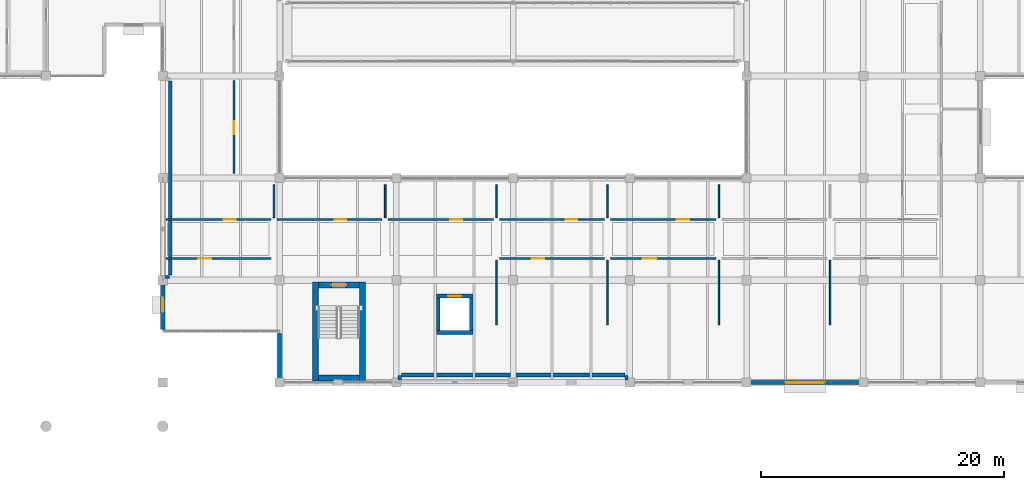
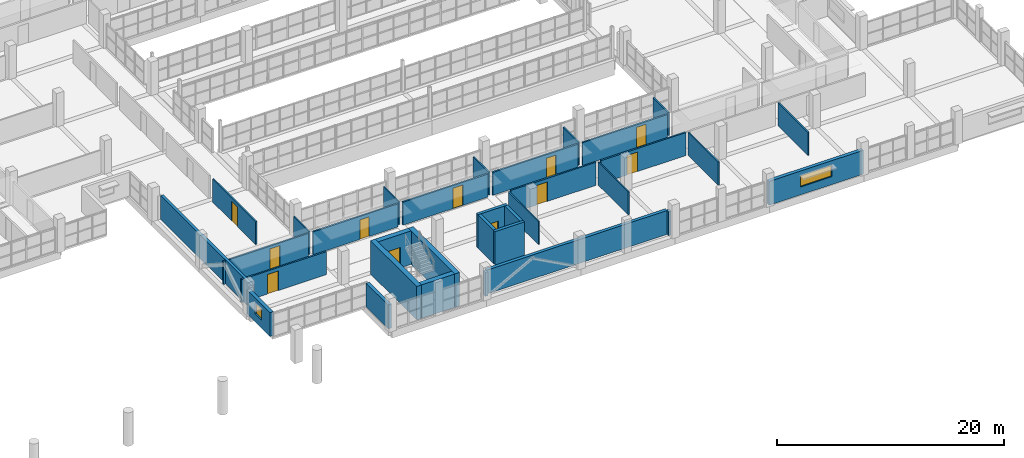
# One storey, part 126 of 147: 34 walls, 11 doors, 2 windows, 13 openings.
"""IFC4 building model written with IfcOpenShell, lengths in metres."""

from ifc_helpers import new_model, si_unit, direction, frame, frame_2d, origin, place, context, subcontext, project, spatial, rectangle, extrude, material, layer, layer_set, type_object, element, fill, save


model = new_model("IFC4")

# Units and contexts
model_context = context("Model", 3, precision=1e-05, world=origin(), true_north=direction((0.0, 1.0)))
body_context = subcontext(model_context, "Body", "Model", "MODEL_VIEW")
ifc_project = project(units=[si_unit("LENGTHUNIT", "METRE"), si_unit("AREAUNIT", "SQUARE_METRE"), si_unit("VOLUMEUNIT", "CUBIC_METRE"), si_unit("PLANEANGLEUNIT", "RADIAN"), si_unit("MASSUNIT", "GRAM", prefix="KILO")], contexts=[model_context])

# Site, building, storey
site_placement = place(None, origin())
site = spatial("IfcSite", under=ifc_project, at=site_placement, CompositionType="ELEMENT")
building_placement = place(site_placement, origin())
building = spatial("IfcBuilding", under=site, at=building_placement, Name="Oolite Switchyard Hospital", CompositionType="ELEMENT")
storey_placement = place(building_placement, frame((0.0, 0.0, 9.89990234375)))
storey = spatial("IfcBuildingStorey", under=building, at=storey_placement, Name="L02", CompositionType="ELEMENT", Elevation=9.89990234375)

# Walls
ifc_material_1 = material(Name="Precast oolitic limestone architectural concrete C40/50", Category="masonry")
ifc_layer_1 = layer(ifc_material_1, 0.260009765625)
ifc_layer_set_1 = layer_set([ifc_layer_1], Name="WAL-EXT-260")
wall_type_1 = type_object("IfcWallType", Name="WAL-EXT-260", PredefinedType="SOLIDWALL", material=ifc_layer_set_1)
for number, where, z_axis, x_axis, name in (
    (1, (172.52001953125, 8.60009765625, 0.0), (0.0, 0.0, 1.0), (0.0, 1.0, 0.0), "L02 Brace Alcove Cheek Wall 125"),
    (2, (153.8798828125, 8.60009765625, 0.0), (0.0, 0.0, 1.0), (0.0, 1.0, 0.0), "L02 Brace Alcove Cheek Wall 126"),
    (3, (134.60009765625, 17.080078125, 0.0), (0.0, 0.0, 1.0), (1.0, 0.0, 0.0), "L02 Brace Alcove Cheek Wall 158"),
):
    element("IfcWall", number, at=place(storey_placement, frame(where, z_axis=z_axis, x_axis=x_axis)), inside=storey, type_object=wall_type_1, Name=name, PredefinedType="SOLIDWALL", context=body_context, shape_type="SweptSolid", body=[
        extrude(rectangle(XDim=0.35986328125, YDim=0.260009765625, at=frame_2d((0.179931640625, 0.0))), origin(), (0.0, 0.0, 1.0), 2.570068359375),
    ])
ifc_layer_2 = layer(ifc_material_1, 0.280029296875)
ifc_layer_set_2 = layer_set([ifc_layer_2], Name="WAL-EXT-280")
wall_type_2 = type_object("IfcWallType", Name="WAL-EXT-280", PredefinedType="SOLIDWALL", material=ifc_layer_set_2)
wall_1_placement = place(storey_placement, frame((135.02001953125, 17.219970703125, 0.0), z_axis=(0.0, 0.0, 1.0), x_axis=(0.0, 1.0, 0.0)))
element("IfcWall", 4, at=wall_1_placement, inside=storey, type_object=wall_type_2, Name="L02 Exterior Spandrel Wall 160", PredefinedType="SOLIDWALL", context=body_context, shape_type="SweptSolid", body=[
    extrude(rectangle(XDim=15.9599609375, YDim=0.280029296875, at=frame_2d((7.97998046875, 0.0))), origin(), (0.0, 0.0, 1.0), 2.570068359375),
])
ifc_layer_3 = layer(ifc_material_1, 0.320068359375)
ifc_layer_set_3 = layer_set([ifc_layer_3], Name="WAL-EXT-320")
wall_type_3 = type_object("IfcWallType", Name="WAL-EXT-320", PredefinedType="SOLIDWALL", material=ifc_layer_set_3)
wall_2_placement = place(storey_placement, frame((172.3798828125, 9.02001953125, 0.0), z_axis=(0.0, 0.0, 1.0), x_axis=(-1.0, 0.0, 0.0)))
element("IfcWall", 5, at=wall_2_placement, inside=storey, type_object=wall_type_3, Name="L02 Exterior Spandrel Wall 127", PredefinedType="SOLIDWALL", context=body_context, shape_type="SweptSolid", body=[
    extrude(rectangle(XDim=18.35986328125, YDim=0.320068359375, at=frame_2d((9.179931640625, 0.0))), origin(), (0.0, 0.0, 1.0), 2.570068359375),
])

# Wall, opening, window
ifc_layer_4 = layer(ifc_material_1, 0.340087890625)
ifc_layer_set_4 = layer_set([ifc_layer_4], Name="WAL-EXT-340")
wall_type_4 = type_object("IfcWallType", Name="WAL-EXT-340", PredefinedType="SOLIDWALL", material=ifc_layer_set_4)
wall_3_placement = place(storey_placement, frame((192.0, 8.39990234375, 0.0), z_axis=(0.0, 0.0, 1.0), x_axis=(-1.0, 0.0, 0.0)))
wall_3 = element("IfcWall", 6, at=wall_3_placement, inside=storey, type_object=wall_type_4, Name="L02 Exterior Spandrel Wall 128", PredefinedType="SOLIDWALL", context=body_context, shape_type="SweptSolid", body=[
    extrude(rectangle(XDim=9.60009765625, YDim=0.340087890625, at=frame_2d((4.800048828125, 0.0))), origin(), (0.0, 0.0, 1.0), 2.570068359375),
])
opening_1_placement = place(wall_3_placement, frame((3.199951171875, 0.0, 0.85009765625)))
opening_1 = element("IfcOpeningElement", 7, at=opening_1_placement, cuts=wall_3, Name="Opening WN-0045", PredefinedType="OPENING", context=body_context, shape_type="SweptSolid", body=[
    extrude(rectangle(XDim=3.199951171875, YDim=1.199951171875, at=frame_2d((1.60009765625, 0.60009765625))), frame((0.0, 0.18017578125, 0.0), z_axis=(0.0, -1.0, 0.0), x_axis=(1.0, 0.0, 0.0)), (0.0, 0.0, 1.0), 0.360107421875),
])
ifc_material_2 = material(Name="Thermally broken aluminum frame with laminated impact glazing", Category="aluminium")
window_type_1 = type_object("IfcWindowType", Name="WIN-IMP-320X120", PartitioningType="SINGLE_PANEL", PredefinedType="WINDOW", material=ifc_material_2)
window_1_placement = place(opening_1_placement, origin())
window_1 = element("IfcWindow", 8, at=window_1_placement, inside=storey, type_object=window_type_1, Name="L02 Hurricane Impact Window WN-0045", OverallHeight=1.199951171875, OverallWidth=3.199951171875, PartitioningType="SINGLE_PANEL", PredefinedType="WINDOW", context=body_context, shape_type="SweptSolid", body=[
    extrude(rectangle(XDim=3.199951171875, YDim=1.199951171875, at=frame_2d((1.60009765625, 0.60009765625))), frame((0.0, 0.030029296875, 0.0), z_axis=(0.0, -1.0, 0.0), x_axis=(1.0, 0.0, 0.0)), (0.0, 0.0, 1.0), 0.06005859375),
])
fill(opening_1, window_1)

# Wall
wall_4_placement = place(storey_placement, frame((144.0, 8.56005859375, 0.0), z_axis=(0.0, 0.0, 1.0), x_axis=(0.0, 1.0, 0.0)))
element("IfcWall", 9, at=wall_4_placement, inside=storey, type_object=wall_type_4, Name="L02 Exterior Spandrel Wall 163", PredefinedType="SOLIDWALL", context=body_context, shape_type="SweptSolid", body=[
    extrude(rectangle(XDim=3.8798828125, YDim=0.340087890625, at=frame_2d((1.93994140625, 0.0))), origin(), (0.0, 0.0, 1.0), 2.570068359375),
])

# Wall, opening, window
ifc_layer_5 = layer(ifc_material_1, 0.360107421875)
ifc_layer_set_5 = layer_set([ifc_layer_5], Name="WAL-EXT-360")
wall_type_5 = type_object("IfcWallType", Name="WAL-EXT-360", PredefinedType="SOLIDWALL", material=ifc_layer_set_5)
wall_5_placement = place(storey_placement, frame((134.39990234375, 12.760009765625, 0.0), z_axis=(0.0, 0.0, 1.0), x_axis=(0.0, 1.0, 0.0)))
wall_5 = element("IfcWall", 10, at=wall_5_placement, inside=storey, type_object=wall_type_5, Name="L02 Exterior Spandrel Wall 157", PredefinedType="SOLIDWALL", context=body_context, shape_type="SweptSolid", body=[
    extrude(rectangle(XDim=4.0400390625, YDim=0.360107421875, at=frame_2d((2.02001953125, 0.0))), origin(), (0.0, 0.0, 1.0), 2.570068359375),
])
opening_2_placement = place(wall_5_placement, frame((1.445068359375, 0.0, 0.85009765625)))
opening_2 = element("IfcOpeningElement", 11, at=opening_2_placement, cuts=wall_5, Name="Opening WN-0061", PredefinedType="OPENING", context=body_context, shape_type="SweptSolid", body=[
    extrude(rectangle(XDim=1.14990234375, YDim=1.199951171875, at=frame_2d((0.574951171875, 0.60009765625))), frame((0.0, 0.18994140625, 0.0), z_axis=(0.0, -1.0, 0.0), x_axis=(1.0, 0.0, 0.0)), (0.0, 0.0, 1.0), 0.380126953125),
])
window_type_2 = type_object("IfcWindowType", Name="WIN-IMP-115X120", PartitioningType="SINGLE_PANEL", PredefinedType="WINDOW", material=ifc_material_2)
window_2_placement = place(opening_2_placement, origin())
window_2 = element("IfcWindow", 12, at=window_2_placement, inside=storey, type_object=window_type_2, Name="L02 Hurricane Impact Window WN-0061", OverallHeight=1.199951171875, OverallWidth=1.14990234375, PartitioningType="SINGLE_PANEL", PredefinedType="WINDOW", context=body_context, shape_type="SweptSolid", body=[
    extrude(rectangle(XDim=1.14990234375, YDim=1.199951171875, at=frame_2d((0.574951171875, 0.60009765625))), frame((0.0, 0.030029296875, 0.0), z_axis=(0.0, -1.0, 0.0), x_axis=(1.0, 0.0, 0.0)), (0.0, 0.0, 1.0), 0.06005859375),
])
fill(opening_2, window_2)

# Walls
ifc_material_3 = material(Name="Moisture-resistant gypsum board on steel studs", Category="steel")
ifc_layer_6 = layer(ifc_material_3, 0.135009765625)
ifc_layer_set_6 = layer_set([ifc_layer_6], Name="WAL-PART-135")
wall_type_6 = type_object("IfcWallType", Name="WAL-PART-135", PredefinedType="PARTITIONING", material=ifc_layer_set_6)
for number, where, z_axis, x_axis, name in (
    (13, (143.54296875, 21.949951171875, 0.0), (0.0, 0.0, 1.0), (0.0, 1.0, 0.0), "L02 Interior Partition 553"),
    (14, (152.68603515625, 21.949951171875, 0.0), (0.0, 0.0, 1.0), (0.0, 1.0, 0.0), "L02 Interior Partition 555"),
):
    element("IfcWall", number, at=place(storey_placement, frame(where, z_axis=z_axis, x_axis=x_axis)), inside=storey, type_object=wall_type_6, Name=name, PredefinedType="PARTITIONING", context=body_context, shape_type="SweptSolid", body=[
        extrude(rectangle(XDim=2.699951171875, YDim=0.135009765625, at=frame_2d((1.35009765625, 0.0))), origin(), (0.0, 0.0, 1.0), 2.47998046875),
    ])
wall_6_placement = place(storey_placement, frame((161.8291015625, 13.14990234375, 0.0), z_axis=(0.0, 0.0, 1.0), x_axis=(0.0, 1.0, 0.0)))
element("IfcWall", 15, at=wall_6_placement, inside=storey, type_object=wall_type_6, Name="L02 Interior Partition 557", PredefinedType="PARTITIONING", context=body_context, shape_type="SweptSolid", body=[
    extrude(rectangle(XDim=5.300048828125, YDim=0.135009765625, at=frame_2d((2.64990234375, 0.0))), origin(), (0.0, 0.0, 1.0), 2.47998046875),
])
wall_7_placement = place(storey_placement, frame((161.8291015625, 21.949951171875, 0.0), z_axis=(0.0, 0.0, 1.0), x_axis=(0.0, 1.0, 0.0)))
element("IfcWall", 16, at=wall_7_placement, inside=storey, type_object=wall_type_6, Name="L02 Interior Partition 559", PredefinedType="PARTITIONING", context=body_context, shape_type="SweptSolid", body=[
    extrude(rectangle(XDim=2.699951171875, YDim=0.135009765625, at=frame_2d((1.35009765625, 0.0))), origin(), (0.0, 0.0, 1.0), 2.47998046875),
])
wall_8_placement = place(storey_placement, frame((170.971923828125, 13.14990234375, 0.0), z_axis=(0.0, 0.0, 1.0), x_axis=(0.0, 1.0, 0.0)))
element("IfcWall", 17, at=wall_8_placement, inside=storey, type_object=wall_type_6, Name="L02 Interior Partition 561", PredefinedType="PARTITIONING", context=body_context, shape_type="SweptSolid", body=[
    extrude(rectangle(XDim=5.300048828125, YDim=0.135009765625, at=frame_2d((2.64990234375, 0.0))), origin(), (0.0, 0.0, 1.0), 2.47998046875),
])
wall_9_placement = place(storey_placement, frame((170.971923828125, 21.949951171875, 0.0), z_axis=(0.0, 0.0, 1.0), x_axis=(0.0, 1.0, 0.0)))
element("IfcWall", 18, at=wall_9_placement, inside=storey, type_object=wall_type_6, Name="L02 Interior Partition 563", PredefinedType="PARTITIONING", context=body_context, shape_type="SweptSolid", body=[
    extrude(rectangle(XDim=2.699951171875, YDim=0.135009765625, at=frame_2d((1.35009765625, 0.0))), origin(), (0.0, 0.0, 1.0), 2.47998046875),
])
wall_10_placement = place(storey_placement, frame((180.114990234375, 13.14990234375, 0.0), z_axis=(0.0, 0.0, 1.0), x_axis=(0.0, 1.0, 0.0)))
element("IfcWall", 19, at=wall_10_placement, inside=storey, type_object=wall_type_6, Name="L02 Interior Partition 565", PredefinedType="PARTITIONING", context=body_context, shape_type="SweptSolid", body=[
    extrude(rectangle(XDim=5.300048828125, YDim=0.135009765625, at=frame_2d((2.64990234375, 0.0))), origin(), (0.0, 0.0, 1.0), 2.47998046875),
])
wall_11_placement = place(storey_placement, frame((180.114990234375, 21.949951171875, 0.0), z_axis=(0.0, 0.0, 1.0), x_axis=(0.0, 1.0, 0.0)))
element("IfcWall", 20, at=wall_11_placement, inside=storey, type_object=wall_type_6, Name="L02 Interior Partition 567", PredefinedType="PARTITIONING", context=body_context, shape_type="SweptSolid", body=[
    extrude(rectangle(XDim=2.699951171875, YDim=0.135009765625, at=frame_2d((1.35009765625, 0.0))), origin(), (0.0, 0.0, 1.0), 2.47998046875),
])
wall_12_placement = place(storey_placement, frame((189.258056640625, 13.14990234375, 0.0), z_axis=(0.0, 0.0, 1.0), x_axis=(0.0, 1.0, 0.0)))
element("IfcWall", 21, at=wall_12_placement, inside=storey, type_object=wall_type_6, Name="L02 Interior Partition 569", PredefinedType="PARTITIONING", context=body_context, shape_type="SweptSolid", body=[
    extrude(rectangle(XDim=5.300048828125, YDim=0.135009765625, at=frame_2d((2.64990234375, 0.0))), origin(), (0.0, 0.0, 1.0), 2.47998046875),
])

# Wall, opening, door
ifc_layer_7 = layer(ifc_material_3, 0.14990234375)
ifc_layer_set_7 = layer_set([ifc_layer_7], Name="WAL-PART-150")
wall_type_7 = type_object("IfcWallType", Name="WAL-PART-150", PredefinedType="PARTITIONING", material=ifc_layer_set_7)
wall_13_placement = place(storey_placement, frame((140.25, 25.60009765625, 0.0), z_axis=(0.0, 0.0, 1.0), x_axis=(0.0, 1.0, 0.0)))
wall_13 = element("IfcWall", 22, at=wall_13_placement, inside=storey, type_object=wall_type_7, Name="L02 Interior Partition 977", PredefinedType="PARTITIONING", context=body_context, shape_type="SweptSolid", body=[
    extrude(rectangle(XDim=7.599853515625, YDim=0.14990234375, at=frame_2d((3.7998046875, 0.0))), origin(), (0.0, 0.0, 1.0), 2.47998046875),
])
opening_3_placement = place(wall_13_placement, frame((3.199951171875, 0.0, 0.0)))
opening_3 = element("IfcOpeningElement", 23, at=opening_3_placement, cuts=wall_13, Name="Opening D-0545", PredefinedType="OPENING", context=body_context, shape_type="SweptSolid", body=[
    extrude(rectangle(XDim=1.050048828125, YDim=2.10009765625, at=frame_2d((0.52490234375, 1.050048828125))), frame((0.0, 0.0849609375, 0.0), z_axis=(0.0, -1.0, 0.0), x_axis=(1.0, 0.0, 0.0)), (0.0, 0.0, 1.0), 0.169921875),
])
ifc_material_4 = material(Name="Solid-core antimicrobial hardwood leaf in steel frame", Category="steel")
door_type_1 = type_object("IfcDoorType", Name="DR-EXAM-105X210", OperationType="NOTDEFINED", PredefinedType="DOOR", material=ifc_material_4)
door_1_placement = place(opening_3_placement, origin())
door_1 = element("IfcDoor", 24, at=door_1_placement, inside=storey, type_object=door_type_1, Name="L02 Interior Door D-0545", OperationType="SINGLE_SWING_LEFT", OverallHeight=2.10009765625, OverallWidth=1.050048828125, PredefinedType="DOOR", context=body_context, shape_type="SweptSolid", body=[
    extrude(rectangle(XDim=1.050048828125, YDim=2.10009765625, at=frame_2d((0.52490234375, 1.050048828125))), frame((0.0, 0.02490234375, 0.0), z_axis=(0.0, -1.0, 0.0), x_axis=(1.0, 0.0, 0.0)), (0.0, 0.0, 1.0), 0.050048828125),
])
fill(opening_3, door_1)

ifc_layer_8 = layer(ifc_material_3, 0.1650390625)
ifc_layer_set_8 = layer_set([ifc_layer_8], Name="WAL-PART-165")
wall_type_8 = type_object("IfcWallType", Name="WAL-PART-165", PredefinedType="PARTITIONING", material=ifc_layer_set_8)
wall_14_placement = place(storey_placement, frame((134.64990234375, 18.60009765625, 0.0), z_axis=(0.0, 0.0, 1.0), x_axis=(1.0, 0.0, 0.0)))
wall_14 = element("IfcWall", 25, at=wall_14_placement, inside=storey, type_object=wall_type_8, Name="L02 Interior Partition 550", PredefinedType="PARTITIONING", context=body_context, shape_type="SweptSolid", body=[
    extrude(rectangle(XDim=8.64306640625, YDim=0.1650390625, at=frame_2d((4.321533203125, 0.0))), origin(), (0.0, 0.0, 1.0), 2.47998046875),
])
opening_4_placement = place(wall_14_placement, frame((2.64990234375, 0.0, 0.0)))
opening_4 = element("IfcOpeningElement", 26, at=opening_4_placement, cuts=wall_14, Name="Opening D-0309", PredefinedType="OPENING", context=body_context, shape_type="SweptSolid", body=[
    extrude(rectangle(XDim=1.10009765625, YDim=2.10009765625, at=frame_2d((0.550048828125, 1.050048828125))), frame((0.0, 0.092529296875, 0.0), z_axis=(0.0, -1.0, 0.0), x_axis=(1.0, 0.0, 0.0)), (0.0, 0.0, 1.0), 0.18505859375),
])
door_type_2 = type_object("IfcDoorType", Name="DR-CLIN-110X210", OperationType="NOTDEFINED", PredefinedType="DOOR", material=ifc_material_4)
door_2_placement = place(opening_4_placement, origin())
door_2 = element("IfcDoor", 27, at=door_2_placement, inside=storey, type_object=door_type_2, Name="L02 Interior Door D-0309", OperationType="SINGLE_SWING_LEFT", OverallHeight=2.10009765625, OverallWidth=1.10009765625, PredefinedType="DOOR", context=body_context, shape_type="SweptSolid", body=[
    extrude(rectangle(XDim=1.10009765625, YDim=2.10009765625, at=frame_2d((0.550048828125, 1.050048828125))), frame((0.0, 0.02490234375, 0.0), z_axis=(0.0, -1.0, 0.0), x_axis=(1.0, 0.0, 0.0)), (0.0, 0.0, 1.0), 0.050048828125),
])
fill(opening_4, door_2)

wall_15_placement = place(storey_placement, frame((134.64990234375, 21.800048828125, 0.0), z_axis=(0.0, 0.0, 1.0), x_axis=(1.0, 0.0, 0.0)))
wall_15 = element("IfcWall", 28, at=wall_15_placement, inside=storey, type_object=wall_type_8, Name="L02 Interior Partition 551", PredefinedType="PARTITIONING", context=body_context, shape_type="SweptSolid", body=[
    extrude(rectangle(XDim=8.64306640625, YDim=0.1650390625, at=frame_2d((4.321533203125, 0.0))), origin(), (0.0, 0.0, 1.0), 2.47998046875),
])
opening_5_placement = place(wall_15_placement, frame((4.75, 0.0, 0.0)))
opening_5 = element("IfcOpeningElement", 29, at=opening_5_placement, cuts=wall_15, Name="Opening D-0310", PredefinedType="OPENING", context=body_context, shape_type="SweptSolid", body=[
    extrude(rectangle(XDim=1.0, YDim=2.199951171875, at=frame_2d((0.5, 1.10009765625))), frame((0.0, 0.092529296875, 0.0), z_axis=(0.0, -1.0, 0.0), x_axis=(1.0, 0.0, 0.0)), (0.0, 0.0, 1.0), 0.18505859375),
])
door_type_3 = type_object("IfcDoorType", Name="DR-OFF-100X220", OperationType="NOTDEFINED", PredefinedType="DOOR", material=ifc_material_4)
door_3_placement = place(opening_5_placement, origin())
door_3 = element("IfcDoor", 30, at=door_3_placement, inside=storey, type_object=door_type_3, Name="L02 Interior Door D-0310", OperationType="SINGLE_SWING_RIGHT", OverallHeight=2.199951171875, OverallWidth=1.0, PredefinedType="DOOR", context=body_context, shape_type="SweptSolid", body=[
    extrude(rectangle(XDim=1.0, YDim=2.199951171875, at=frame_2d((0.5, 1.10009765625))), frame((0.0, 0.02490234375, 0.0), z_axis=(0.0, -1.0, 0.0), x_axis=(1.0, 0.0, 0.0)), (0.0, 0.0, 1.0), 0.050048828125),
])
fill(opening_5, door_3)

wall_16_placement = place(storey_placement, frame((143.79296875, 21.800048828125, 0.0), z_axis=(0.0, 0.0, 1.0), x_axis=(1.0, 0.0, 0.0)))
wall_16 = element("IfcWall", 31, at=wall_16_placement, inside=storey, type_object=wall_type_8, Name="L02 Interior Partition 552", PredefinedType="PARTITIONING", context=body_context, shape_type="SweptSolid", body=[
    extrude(rectangle(XDim=8.64306640625, YDim=0.1650390625, at=frame_2d((4.321533203125, 0.0))), origin(), (0.0, 0.0, 1.0), 2.47998046875),
])
opening_6_placement = place(wall_16_placement, frame((4.75, 0.0, 0.0)))
opening_6 = element("IfcOpeningElement", 32, at=opening_6_placement, cuts=wall_16, Name="Opening D-0311", PredefinedType="OPENING", context=body_context, shape_type="SweptSolid", body=[
    extrude(rectangle(XDim=0.949951171875, YDim=2.10009765625, at=frame_2d((0.47509765625, 1.050048828125))), frame((0.0, 0.092529296875, 0.0), z_axis=(0.0, -1.0, 0.0), x_axis=(1.0, 0.0, 0.0)), (0.0, 0.0, 1.0), 0.18505859375),
])
door_type_4 = type_object("IfcDoorType", Name="DR-BATH-095X210", OperationType="NOTDEFINED", PredefinedType="DOOR", material=ifc_material_4)
door_4_placement = place(opening_6_placement, origin())
door_4 = element("IfcDoor", 33, at=door_4_placement, inside=storey, type_object=door_type_4, Name="L02 Interior Door D-0311", OperationType="SINGLE_SWING_LEFT", OverallHeight=2.10009765625, OverallWidth=0.949951171875, PredefinedType="DOOR", context=body_context, shape_type="SweptSolid", body=[
    extrude(rectangle(XDim=0.949951171875, YDim=2.10009765625, at=frame_2d((0.47509765625, 1.050048828125))), frame((0.0, 0.02490234375, 0.0), z_axis=(0.0, -1.0, 0.0), x_axis=(1.0, 0.0, 0.0)), (0.0, 0.0, 1.0), 0.050048828125),
])
fill(opening_6, door_4)

wall_17_placement = place(storey_placement, frame((152.93603515625, 21.800048828125, 0.0), z_axis=(0.0, 0.0, 1.0), x_axis=(1.0, 0.0, 0.0)))
wall_17 = element("IfcWall", 34, at=wall_17_placement, inside=storey, type_object=wall_type_8, Name="L02 Interior Partition 554", PredefinedType="PARTITIONING", context=body_context, shape_type="SweptSolid", body=[
    extrude(rectangle(XDim=8.64306640625, YDim=0.1650390625, at=frame_2d((4.321533203125, 0.0))), origin(), (0.0, 0.0, 1.0), 2.47998046875),
])
opening_7_placement = place(wall_17_placement, frame((5.10009765625, 0.0, 0.0)))
opening_7 = element("IfcOpeningElement", 35, at=opening_7_placement, cuts=wall_17, Name="Opening D-0312", PredefinedType="OPENING", context=body_context, shape_type="SweptSolid", body=[
    extrude(rectangle(XDim=1.0, YDim=2.199951171875, at=frame_2d((0.5, 1.10009765625))), frame((0.0, 0.092529296875, 0.0), z_axis=(0.0, -1.0, 0.0), x_axis=(1.0, 0.0, 0.0)), (0.0, 0.0, 1.0), 0.18505859375),
])
door_5_placement = place(opening_7_placement, origin())
door_5 = element("IfcDoor", 36, at=door_5_placement, inside=storey, type_object=door_type_3, Name="L02 Interior Door D-0312", OperationType="SINGLE_SWING_RIGHT", OverallHeight=2.199951171875, OverallWidth=1.0, PredefinedType="DOOR", context=body_context, shape_type="SweptSolid", body=[
    extrude(rectangle(XDim=1.0, YDim=2.199951171875, at=frame_2d((0.5, 1.10009765625))), frame((0.0, 0.02490234375, 0.0), z_axis=(0.0, -1.0, 0.0), x_axis=(1.0, 0.0, 0.0)), (0.0, 0.0, 1.0), 0.050048828125),
])
fill(opening_7, door_5)

wall_18_placement = place(storey_placement, frame((162.0791015625, 18.60009765625, 0.0), z_axis=(0.0, 0.0, 1.0), x_axis=(1.0, 0.0, 0.0)))
wall_18 = element("IfcWall", 37, at=wall_18_placement, inside=storey, type_object=wall_type_8, Name="L02 Interior Partition 556", PredefinedType="PARTITIONING", context=body_context, shape_type="SweptSolid", body=[
    extrude(rectangle(XDim=8.642822265625, YDim=0.1650390625, at=frame_2d((4.3212890625, 0.0))), origin(), (0.0, 0.0, 1.0), 2.47998046875),
])
opening_8_placement = place(wall_18_placement, frame((2.64990234375, 0.0, 0.0)))
opening_8 = element("IfcOpeningElement", 38, at=opening_8_placement, cuts=wall_18, Name="Opening D-0313", PredefinedType="OPENING", context=body_context, shape_type="SweptSolid", body=[
    extrude(rectangle(XDim=1.050048828125, YDim=2.10009765625, at=frame_2d((0.52490234375, 1.050048828125))), frame((0.0, 0.092529296875, 0.0), z_axis=(0.0, -1.0, 0.0), x_axis=(1.0, 0.0, 0.0)), (0.0, 0.0, 1.0), 0.18505859375),
])
door_6_placement = place(opening_8_placement, origin())
door_6 = element("IfcDoor", 39, at=door_6_placement, inside=storey, type_object=door_type_1, Name="L02 Interior Door D-0313", OperationType="SINGLE_SWING_RIGHT", OverallHeight=2.10009765625, OverallWidth=1.050048828125, PredefinedType="DOOR", context=body_context, shape_type="SweptSolid", body=[
    extrude(rectangle(XDim=1.050048828125, YDim=2.10009765625, at=frame_2d((0.52490234375, 1.050048828125))), frame((0.0, 0.02490234375, 0.0), z_axis=(0.0, -1.0, 0.0), x_axis=(1.0, 0.0, 0.0)), (0.0, 0.0, 1.0), 0.050048828125),
])
fill(opening_8, door_6)

wall_19_placement = place(storey_placement, frame((162.0791015625, 21.800048828125, 0.0), z_axis=(0.0, 0.0, 1.0), x_axis=(1.0, 0.0, 0.0)))
wall_19 = element("IfcWall", 40, at=wall_19_placement, inside=storey, type_object=wall_type_8, Name="L02 Interior Partition 558", PredefinedType="PARTITIONING", context=body_context, shape_type="SweptSolid", body=[
    extrude(rectangle(XDim=8.642822265625, YDim=0.1650390625, at=frame_2d((4.3212890625, 0.0))), origin(), (0.0, 0.0, 1.0), 2.47998046875),
])
opening_9_placement = place(wall_19_placement, frame((5.449951171875, 0.0, 0.0)))
opening_9 = element("IfcOpeningElement", 41, at=opening_9_placement, cuts=wall_19, Name="Opening D-0314", PredefinedType="OPENING", context=body_context, shape_type="SweptSolid", body=[
    extrude(rectangle(XDim=0.949951171875, YDim=2.10009765625, at=frame_2d((0.47509765625, 1.050048828125))), frame((0.0, 0.092529296875, 0.0), z_axis=(0.0, -1.0, 0.0), x_axis=(1.0, 0.0, 0.0)), (0.0, 0.0, 1.0), 0.18505859375),
])
door_7_placement = place(opening_9_placement, origin())
door_7 = element("IfcDoor", 42, at=door_7_placement, inside=storey, type_object=door_type_4, Name="L02 Interior Door D-0314", OperationType="SINGLE_SWING_LEFT", OverallHeight=2.10009765625, OverallWidth=0.949951171875, PredefinedType="DOOR", context=body_context, shape_type="SweptSolid", body=[
    extrude(rectangle(XDim=0.949951171875, YDim=2.10009765625, at=frame_2d((0.47509765625, 1.050048828125))), frame((0.0, 0.02490234375, 0.0), z_axis=(0.0, -1.0, 0.0), x_axis=(1.0, 0.0, 0.0)), (0.0, 0.0, 1.0), 0.050048828125),
])
fill(opening_9, door_7)

wall_20_placement = place(storey_placement, frame((171.221923828125, 18.60009765625, 0.0), z_axis=(0.0, 0.0, 1.0), x_axis=(1.0, 0.0, 0.0)))
wall_20 = element("IfcWall", 43, at=wall_20_placement, inside=storey, type_object=wall_type_8, Name="L02 Interior Partition 560", PredefinedType="PARTITIONING", context=body_context, shape_type="SweptSolid", body=[
    extrude(rectangle(XDim=8.64306640625, YDim=0.1650390625, at=frame_2d((4.321533203125, 0.0))), origin(), (0.0, 0.0, 1.0), 2.47998046875),
])
opening_10_placement = place(wall_20_placement, frame((2.64990234375, 0.0, 0.0)))
opening_10 = element("IfcOpeningElement", 44, at=opening_10_placement, cuts=wall_20, Name="Opening D-0315", PredefinedType="OPENING", context=body_context, shape_type="SweptSolid", body=[
    extrude(rectangle(XDim=1.10009765625, YDim=2.10009765625, at=frame_2d((0.550048828125, 1.050048828125))), frame((0.0, 0.092529296875, 0.0), z_axis=(0.0, -1.0, 0.0), x_axis=(1.0, 0.0, 0.0)), (0.0, 0.0, 1.0), 0.18505859375),
])
door_8_placement = place(opening_10_placement, origin())
door_8 = element("IfcDoor", 45, at=door_8_placement, inside=storey, type_object=door_type_2, Name="L02 Interior Door D-0315", OperationType="SINGLE_SWING_LEFT", OverallHeight=2.10009765625, OverallWidth=1.10009765625, PredefinedType="DOOR", context=body_context, shape_type="SweptSolid", body=[
    extrude(rectangle(XDim=1.10009765625, YDim=2.10009765625, at=frame_2d((0.550048828125, 1.050048828125))), frame((0.0, 0.02490234375, 0.0), z_axis=(0.0, -1.0, 0.0), x_axis=(1.0, 0.0, 0.0)), (0.0, 0.0, 1.0), 0.050048828125),
])
fill(opening_10, door_8)

wall_21_placement = place(storey_placement, frame((171.221923828125, 21.800048828125, 0.0), z_axis=(0.0, 0.0, 1.0), x_axis=(1.0, 0.0, 0.0)))
wall_21 = element("IfcWall", 46, at=wall_21_placement, inside=storey, type_object=wall_type_8, Name="L02 Interior Partition 562", PredefinedType="PARTITIONING", context=body_context, shape_type="SweptSolid", body=[
    extrude(rectangle(XDim=8.64306640625, YDim=0.1650390625, at=frame_2d((4.321533203125, 0.0))), origin(), (0.0, 0.0, 1.0), 2.47998046875),
])
opening_11_placement = place(wall_21_placement, frame((5.449951171875, 0.0, 0.0)))
opening_11 = element("IfcOpeningElement", 47, at=opening_11_placement, cuts=wall_21, Name="Opening D-0316", PredefinedType="OPENING", context=body_context, shape_type="SweptSolid", body=[
    extrude(rectangle(XDim=1.0, YDim=2.199951171875, at=frame_2d((0.5, 1.10009765625))), frame((0.0, 0.092529296875, 0.0), z_axis=(0.0, -1.0, 0.0), x_axis=(1.0, 0.0, 0.0)), (0.0, 0.0, 1.0), 0.18505859375),
])
door_9_placement = place(opening_11_placement, origin())
door_9 = element("IfcDoor", 48, at=door_9_placement, inside=storey, type_object=door_type_3, Name="L02 Interior Door D-0316", OperationType="SINGLE_SWING_RIGHT", OverallHeight=2.199951171875, OverallWidth=1.0, PredefinedType="DOOR", context=body_context, shape_type="SweptSolid", body=[
    extrude(rectangle(XDim=1.0, YDim=2.199951171875, at=frame_2d((0.5, 1.10009765625))), frame((0.0, 0.02490234375, 0.0), z_axis=(0.0, -1.0, 0.0), x_axis=(1.0, 0.0, 0.0)), (0.0, 0.0, 1.0), 0.050048828125),
])
fill(opening_11, door_9)

# Walls
ifc_material_5 = material(Name="Concrete C50/60", Category="concrete")
ifc_layer_9 = layer(ifc_material_5, 0.300048828125)
ifc_layer_set_9 = layer_set([ifc_layer_9], Name="WAL-SHR-300")
wall_type_9 = type_object("IfcWallType", Name="WAL-SHR-300", PredefinedType="SHEAR", material=ifc_layer_set_9)
wall_22_placement = place(storey_placement, frame((156.89990234375, 12.5, 0.0), z_axis=(0.0, 0.0, 1.0), x_axis=(1.0, 0.0, 0.0)))
element("IfcWall", 49, at=wall_22_placement, inside=storey, type_object=wall_type_9, Name="L02 Lift Shaft Shear Wall EL-11", PredefinedType="SHEAR", context=body_context, shape_type="SweptSolid", body=[
    extrude(rectangle(XDim=3.0, YDim=0.300048828125, at=frame_2d((1.5, 0.0))), origin(), (0.0, 0.0, 1.0), 3.60009765625),
])
wall_23_placement = place(storey_placement, frame((159.75, 12.64990234375, 0.0), z_axis=(0.0, 0.0, 1.0), x_axis=(0.0, 1.0, 0.0)))
element("IfcWall", 50, at=wall_23_placement, inside=storey, type_object=wall_type_9, Name="L02 Lift Shaft Shear Wall EL-11", PredefinedType="SHEAR", context=body_context, shape_type="SweptSolid", body=[
    extrude(rectangle(XDim=2.7001953125, YDim=0.300048828125, at=frame_2d((1.35009765625, 0.0))), origin(), (0.0, 0.0, 1.0), 3.60009765625),
])

# Wall, opening, door
wall_24_placement = place(storey_placement, frame((159.89990234375, 15.5, 0.0), z_axis=(0.0, 0.0, 1.0), x_axis=(-1.0, 0.0, 0.0)))
wall_24 = element("IfcWall", 51, at=wall_24_placement, inside=storey, type_object=wall_type_9, Name="L02 Lift Shaft Shear Wall EL-11", PredefinedType="SHEAR", context=body_context, shape_type="SweptSolid", body=[
    extrude(rectangle(XDim=3.0, YDim=0.300048828125, at=frame_2d((1.5, 0.0))), origin(), (0.0, 0.0, 1.0), 3.60009765625),
])
opening_12_placement = place(wall_24_placement, frame((0.949951171875, 0.0, 0.0)))
opening_12 = element("IfcOpeningElement", 52, at=opening_12_placement, cuts=wall_24, Name="Opening LD-070", PredefinedType="OPENING", context=body_context, shape_type="SweptSolid", body=[
    extrude(rectangle(XDim=1.10009765625, YDim=2.199951171875, at=frame_2d((0.550048828125, 1.10009765625))), frame((0.0, 0.16015625, 0.0), z_axis=(0.0, -1.0, 0.0), x_axis=(1.0, 0.0, 0.0)), (0.0, 0.0, 1.0), 0.320068359375),
])
ifc_material_6 = material(Name="Brushed stainless steel fire-rated sliding landing door", Category="steel")
door_type_5 = type_object("IfcDoorType", Name="DR-LD-110X220", OperationType="NOTDEFINED", PredefinedType="DOOR", material=ifc_material_6)
door_10_placement = place(opening_12_placement, origin())
door_10 = element("IfcDoor", 53, at=door_10_placement, inside=storey, type_object=door_type_5, Name="L02 EL-11 Lift Landing Door LD-070", OperationType="SLIDING_TO_RIGHT", OverallHeight=2.199951171875, OverallWidth=1.10009765625, PredefinedType="DOOR", context=body_context, shape_type="SweptSolid", body=[
    extrude(rectangle(XDim=1.10009765625, YDim=2.199951171875, at=frame_2d((0.550048828125, 1.10009765625))), frame((0.0, 0.02490234375, 0.0), z_axis=(0.0, -1.0, 0.0), x_axis=(1.0, 0.0, 0.0)), (0.0, 0.0, 1.0), 0.050048828125),
])
fill(opening_12, door_10)

# Walls
wall_25_placement = place(storey_placement, frame((157.050048828125, 15.35009765625, 0.0), z_axis=(0.0, 0.0, 1.0), x_axis=(0.0, -1.0, 0.0)))
element("IfcWall", 54, at=wall_25_placement, inside=storey, type_object=wall_type_9, Name="L02 Lift Shaft Shear Wall EL-11", PredefinedType="SHEAR", context=body_context, shape_type="SweptSolid", body=[
    extrude(rectangle(XDim=2.7001953125, YDim=0.300048828125, at=frame_2d((1.35009765625, 0.0))), origin(), (0.0, 0.0, 1.0), 3.60009765625),
])
ifc_layer_10 = layer(ifc_material_5, 0.5)
ifc_layer_set_10 = layer_set([ifc_layer_10], Name="WAL-SHR-500")
wall_type_10 = type_object("IfcWallType", Name="WAL-SHR-500", PredefinedType="SHEAR", material=ifc_layer_set_10)
wall_26_placement = place(storey_placement, frame((146.949951171875, 16.64990234375, 0.0), z_axis=(0.0, 0.0, 1.0), x_axis=(0.0, -1.0, 0.0)))
element("IfcWall", 55, at=wall_26_placement, inside=storey, type_object=wall_type_10, Name="L02 Core Shear Wall ST-05", PredefinedType="SHEAR", context=body_context, shape_type="SweptSolid", body=[
    extrude(rectangle(XDim=8.14990234375, YDim=0.5, at=frame_2d((4.074951171875, 0.0))), origin(), (0.0, 0.0, 1.0), 3.60009765625),
])
wall_27_placement = place(storey_placement, frame((147.199951171875, 8.75, 0.0), z_axis=(0.0, 0.0, 1.0), x_axis=(1.0, 0.0, 0.0)))
element("IfcWall", 56, at=wall_27_placement, inside=storey, type_object=wall_type_10, Name="L02 Core Shear Wall ST-05", PredefinedType="SHEAR", context=body_context, shape_type="SweptSolid", body=[
    extrude(rectangle(XDim=3.360107421875, YDim=0.5, at=frame_2d((1.68017578125, 0.0))), origin(), (0.0, 0.0, 1.0), 3.60009765625),
])
wall_28_placement = place(storey_placement, frame((150.81005859375, 8.5, 0.0), z_axis=(0.0, 0.0, 1.0), x_axis=(0.0, 1.0, 0.0)))
element("IfcWall", 57, at=wall_28_placement, inside=storey, type_object=wall_type_10, Name="L02 Core Shear Wall ST-05", PredefinedType="SHEAR", context=body_context, shape_type="SweptSolid", body=[
    extrude(rectangle(XDim=8.14990234375, YDim=0.5, at=frame_2d((4.074951171875, 0.0))), origin(), (0.0, 0.0, 1.0), 3.60009765625),
])

# Wall, opening, door
wall_29_placement = place(storey_placement, frame((150.56005859375, 16.39990234375, 0.0), z_axis=(0.0, 0.0, 1.0), x_axis=(-1.0, 0.0, 0.0)))
wall_29 = element("IfcWall", 58, at=wall_29_placement, inside=storey, type_object=wall_type_10, Name="L02 Core Shear Wall ST-05", PredefinedType="SHEAR", context=body_context, shape_type="SweptSolid", body=[
    extrude(rectangle(XDim=3.360107421875, YDim=0.5, at=frame_2d((1.68017578125, 0.0))), origin(), (0.0, 0.0, 1.0), 3.60009765625),
])
opening_13_placement = place(wall_29_placement, frame((1.080078125, 0.0, 0.0)))
opening_13 = element("IfcOpeningElement", 59, at=opening_13_placement, cuts=wall_29, Name="Opening SD-035", PredefinedType="OPENING", context=body_context, shape_type="SweptSolid", body=[
    extrude(rectangle(XDim=1.199951171875, YDim=2.199951171875, at=frame_2d((0.60009765625, 1.10009765625))), frame((0.0, 0.260009765625, 0.0), z_axis=(0.0, -1.0, 0.0), x_axis=(1.0, 0.0, 0.0)), (0.0, 0.0, 1.0), 0.52001953125),
])
ifc_material_7 = material(Name="Hollow metal fire-rated steel door assembly", Category="steel")
door_type_6 = type_object("IfcDoorType", Name="DR-STR-120X220", OperationType="NOTDEFINED", PredefinedType="DOOR", material=ifc_material_7)
door_11_placement = place(opening_13_placement, origin())
door_11 = element("IfcDoor", 60, at=door_11_placement, inside=storey, type_object=door_type_6, Name="L02 ST-05 Exit Stair Door SD-035", OperationType="SINGLE_SWING_LEFT", OverallHeight=2.199951171875, OverallWidth=1.199951171875, PredefinedType="DOOR", context=body_context, shape_type="SweptSolid", body=[
    extrude(rectangle(XDim=1.199951171875, YDim=2.199951171875, at=frame_2d((0.60009765625, 1.10009765625))), frame((0.0, 0.02490234375, 0.0), z_axis=(0.0, -1.0, 0.0), x_axis=(1.0, 0.0, 0.0)), (0.0, 0.0, 1.0), 0.050048828125),
])
fill(opening_13, door_11)

save(model, "model.ifc")
